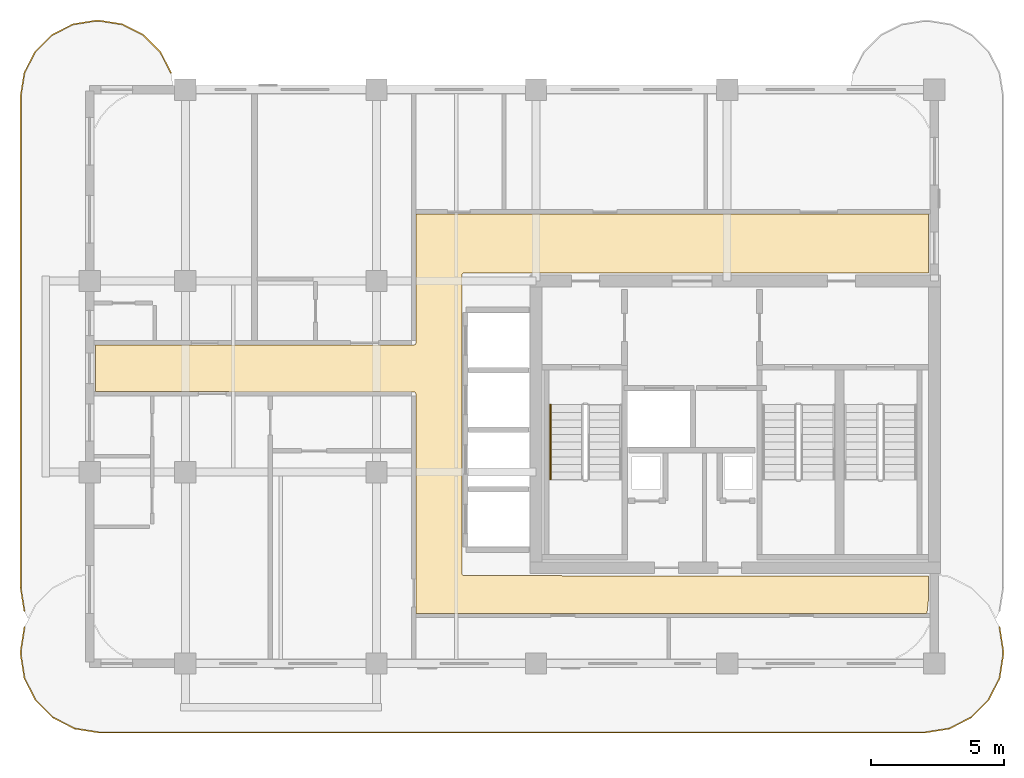
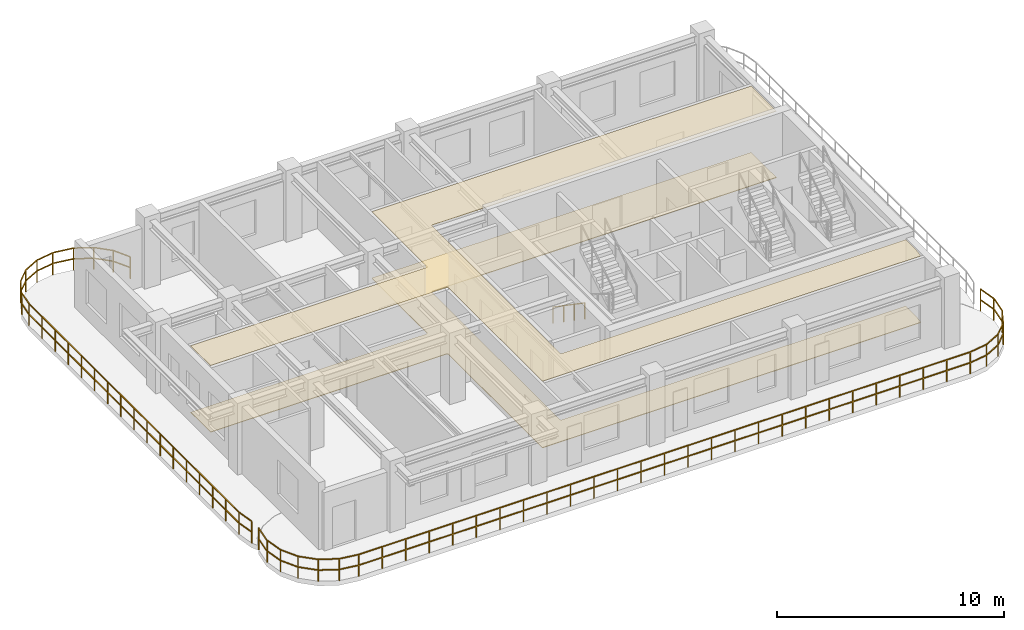
# One storey, part 6 of 7: 3 railings, 2 coverings.
"""IFC4 building model written with IfcOpenShell, lengths in metres."""

from ifc_helpers import new_model, si_unit, derived_unit, direction, frame, origin, origin_2d, place, context, subcontext, project, spatial, polyline, rectangle, outline, extrude, material, layer, layer_set, type_object, element, save


model = new_model("IFC4")

# Units and contexts
model_context = context("Model", 3, precision=1e-05, world=origin(), true_north=direction((0.0, 1.0)))
body_context = subcontext(model_context, "Body", "Model", "MODEL_VIEW")
ifc_project = project(units=[si_unit("LENGTHUNIT", "METRE"), si_unit("AREAUNIT", "SQUARE_METRE"), si_unit("VOLUMEUNIT", "CUBIC_METRE"), si_unit("PLANEANGLEUNIT", "RADIAN"), si_unit("MASSUNIT", "GRAM", prefix="KILO"), si_unit("THERMODYNAMICTEMPERATUREUNIT", "KELVIN"), si_unit("POWERUNIT", "WATT"), derived_unit("THERMALTRANSMITTANCEUNIT", [(si_unit("POWERUNIT", "WATT"), 1), (si_unit("AREAUNIT", "SQUARE_METRE"), -1), (si_unit("THERMODYNAMICTEMPERATUREUNIT", "KELVIN"), -1)])], contexts=[model_context])

# Site, building, storey
site_placement = place(None, origin())
site = spatial("IfcSite", under=ifc_project, at=site_placement, CompositionType="ELEMENT")
building_placement = place(site_placement, origin())
building = spatial("IfcBuilding", under=site, at=building_placement, Name="Zahravan Archway Hotel and Residences", CompositionType="ELEMENT")
storey_placement = place(building_placement, frame((0.0, 0.0, 255.800048828125)))
storey = spatial("IfcBuildingStorey", under=building, at=storey_placement, Name="L64", CompositionType="ELEMENT", Elevation=255.800048828125)

# Coverings
ifc_material_1 = material(Name="Perforated Acoustic Gypsum Ceiling")
ifc_layer_1 = layer(ifc_material_1, 0.02490234375, Name="Perforated Acoustic Gypsum Ceiling")
ifc_layer_set_1 = layer_set([ifc_layer_1], Name="Perforated Acoustic Gypsum Ceiling")
covering_type_1 = type_object("IfcCoveringType", Name="COV-CEIL-ACST", PredefinedType="CEILING", material=ifc_layer_set_1)
covering_1_placement = place(storey_placement, frame((0.0, 0.0, 3.574951171875)))
element("IfcCovering", 1, at=covering_1_placement, inside=storey, type_object=covering_type_1, Name="L64 Acoustic Corridor Ceiling", PredefinedType="CEILING", context=body_context, shape_type="SweptSolid", body=[
    extrude(outline(polyline([(30.215576171875, 11.991455078125), (30.256591796875, 12.013427734375), (30.278564453125, 12.054443359375), (30.280029296875, 16.919921875), (49.580078125, 16.919921875), (49.580078125, 14.705078125), (32.10009765625, 14.705078125), (32.0556640625, 14.69140625), (32.026123046875, 14.655517578125), (32.02001953125, 3.375), (32.033447265625, 3.33056640625), (32.0693359375, 3.301025390625), (49.580078125, 3.294921875), (49.580078125, 2.410888671875), (49.537109375, 1.974853515625), (49.50830078125, 1.8798828125), (30.280029296875, 1.8798828125), (30.280029296875, 10.14990234375), (30.2666015625, 10.1943359375), (30.230712890625, 10.223876953125), (18.219970703125, 10.22998046875), (18.219970703125, 11.989990234375), (30.199951171875, 11.989990234375), (30.215576171875, 11.991455078125)])), origin(), (0.0, 0.0, 1.0), 0.02490234375),
])
ifc_material_2 = material(Name="Honed Margalla Limestone & Mortar Bed", Category="masonry")
ifc_layer_2 = layer(ifc_material_2, 0.030029296875, Name="Honed Margalla Limestone & Mortar Bed", Category="masonry")
ifc_layer_set_2 = layer_set([ifc_layer_2], Name="Honed Margalla Limestone & Mortar Bed")
covering_type_2 = type_object("IfcCoveringType", Name="COV-FLR-STONE", PredefinedType="FLOORING", material=ifc_layer_set_2)
covering_2_placement = place(storey_placement, origin())
element("IfcCovering", 2, at=covering_2_placement, inside=storey, type_object=covering_type_2, Name="L64 Circulation Floor Finish", PredefinedType="FLOORING", context=body_context, shape_type="SweptSolid", body=[
    extrude(outline(polyline([(30.215576171875, 11.991455078125), (30.256591796875, 12.013427734375), (30.278564453125, 12.054443359375), (30.280029296875, 16.919921875), (49.580078125, 16.919921875), (49.580078125, 14.705078125), (32.10009765625, 14.705078125), (32.0556640625, 14.69140625), (32.026123046875, 14.655517578125), (32.02001953125, 3.375), (32.033447265625, 3.33056640625), (32.0693359375, 3.301025390625), (49.580078125, 3.294921875), (49.580078125, 2.410888671875), (49.537109375, 1.974853515625), (49.50830078125, 1.8798828125), (30.280029296875, 1.8798828125), (30.280029296875, 10.14990234375), (30.2666015625, 10.1943359375), (30.230712890625, 10.223876953125), (18.219970703125, 10.22998046875), (18.219970703125, 11.989990234375), (30.199951171875, 11.989990234375), (30.215576171875, 11.991455078125)])), origin(), (0.0, 0.0, 1.0), 0.030029296875),
])

# Railings
ifc_material_3 = material(Name="Bronze & Laminated Glass Balustrade", Category="glass")
railing_type_1 = type_object("IfcRailingType", Name="RL-BAL-1200", PredefinedType="BALUSTRADE", material=ifc_material_3)
railing_1_placement = place(storey_placement, frame((52.255615234375, 1.361572265625, 0.0)))
element("IfcRailing", 3, at=railing_1_placement, inside=storey, type_object=railing_type_1, Name="L64 Balustrade RL-SLB-BAL-L64-SA-1", PredefinedType="BALUSTRADE", context=body_context, shape_type="SweptSolid", body=[
    extrude(rectangle(XDim=0.048095703125, YDim=0.048095703125, at=origin_2d()), frame((0.0, 0.0, 1.17578125), z_axis=(0.156329311416, -0.987704989555, 0.0), x_axis=(0.987704989555, 0.156329311416, 0.0)), (0.0, 0.0, 1.0), 0.9228515625),
    extrude(rectangle(XDim=0.048095703125, YDim=0.048095703125, at=origin_2d()), frame((0.0, 0.0, 0.60009765625), z_axis=(0.156329311416, -0.987704989555, 0.0), x_axis=(0.987704989555, 0.156329311416, 0.0)), (0.0, 0.0, 1.0), 0.9228515625),
    extrude(rectangle(XDim=0.048095703125, YDim=0.048095703125, at=origin_2d()), frame((0.144287109375, -0.91162109375, 1.17578125), z_axis=(0.0, -1.0, 0.0), x_axis=(1.0, 0.0, 0.0)), (0.0, 0.0, 1.0), 0.099853515625),
    extrude(rectangle(XDim=0.048095703125, YDim=0.048095703125, at=origin_2d()), frame((0.144287109375, -0.91162109375, 0.60009765625), z_axis=(0.0, -1.0, 0.0), x_axis=(1.0, 0.0, 0.0)), (0.0, 0.0, 1.0), 0.099853515625),
    extrude(rectangle(XDim=0.048095703125, YDim=0.048095703125, at=origin_2d()), frame((0.144287109375, -1.011474609375, 1.17578125), z_axis=(-0.156329311416, -0.987704989555, 0.0), x_axis=(0.987704989555, -0.156329311416, 0.0)), (0.0, 0.0, 1.0), 0.9228515625),
    extrude(rectangle(XDim=0.048095703125, YDim=0.048095703125, at=origin_2d()), frame((0.144287109375, -1.011474609375, 0.60009765625), z_axis=(-0.156329311416, -0.987704989555, 0.0), x_axis=(0.987704989555, -0.156329311416, 0.0)), (0.0, 0.0, 1.0), 0.9228515625),
    extrude(rectangle(XDim=0.048095703125, YDim=0.048095703125, at=origin_2d()), frame((0.0, -1.923095703125, 1.17578125), z_axis=(-0.453866348456, -0.891069771532, 0.0), x_axis=(0.891069771532, -0.453866348456, 0.0)), (0.0, 0.0, 1.0), 0.923095703125),
    extrude(rectangle(XDim=0.048095703125, YDim=0.048095703125, at=origin_2d()), frame((0.0, -1.923095703125, 0.60009765625), z_axis=(-0.453866348456, -0.891069771532, 0.0), x_axis=(0.891069771532, -0.453866348456, 0.0)), (0.0, 0.0, 1.0), 0.923095703125),
    extrude(rectangle(XDim=0.048095703125, YDim=0.048095703125, at=origin_2d()), frame((-0.4189453125, -2.74560546875, 1.17578125), z_axis=(-0.707106781187, -0.707106781187, 0.0), x_axis=(0.707106781187, -0.707106781187, 0.0)), (0.0, 0.0, 1.0), 0.9228515625),
    extrude(rectangle(XDim=0.048095703125, YDim=0.048095703125, at=origin_2d()), frame((-0.4189453125, -2.74560546875, 0.60009765625), z_axis=(-0.707106781187, -0.707106781187, 0.0), x_axis=(0.707106781187, -0.707106781187, 0.0)), (0.0, 0.0, 1.0), 0.9228515625),
    extrude(rectangle(XDim=0.048095703125, YDim=0.048095703125, at=origin_2d()), frame((-1.071533203125, -3.398193359375, 1.17578125), z_axis=(-0.891069771532, -0.453866348456, 0.0), x_axis=(0.453866348456, -0.891069771532, 0.0)), (0.0, 0.0, 1.0), 0.923095703125),
    extrude(rectangle(XDim=0.048095703125, YDim=0.048095703125, at=origin_2d()), frame((-1.071533203125, -3.398193359375, 0.60009765625), z_axis=(-0.891069771532, -0.453866348456, 0.0), x_axis=(0.453866348456, -0.891069771532, 0.0)), (0.0, 0.0, 1.0), 0.923095703125),
    extrude(rectangle(XDim=0.048095703125, YDim=0.048095703125, at=origin_2d()), frame((-1.89404296875, -3.817138671875, 1.17578125), z_axis=(-0.98766411426, -0.156587347521, 0.0), x_axis=(0.156587347521, -0.98766411426, 0.0)), (0.0, 0.0, 1.0), 0.923095703125),
    extrude(rectangle(XDim=0.048095703125, YDim=0.048095703125, at=origin_2d()), frame((-1.89404296875, -3.817138671875, 0.60009765625), z_axis=(-0.98766411426, -0.156587347521, 0.0), x_axis=(0.156587347521, -0.98766411426, 0.0)), (0.0, 0.0, 1.0), 0.923095703125),
    extrude(rectangle(XDim=0.048095703125, YDim=0.048095703125, at=origin_2d()), frame((-2.8056640625, -3.961669921875, 1.17578125), z_axis=(-1.0, 0.0, 0.0), x_axis=(0.0, -1.0, 0.0)), (0.0, 0.0, 1.0), 31.099853515625),
    extrude(rectangle(XDim=0.048095703125, YDim=0.048095703125, at=origin_2d()), frame((-2.8056640625, -3.961669921875, 0.60009765625), z_axis=(-1.0, 0.0, 0.0), x_axis=(0.0, -1.0, 0.0)), (0.0, 0.0, 1.0), 31.099853515625),
    extrude(rectangle(XDim=0.048095703125, YDim=0.048095703125, at=origin_2d()), frame((-33.905517578125, -3.961669921875, 1.17578125), z_axis=(-0.98766411426, 0.156587347521, 0.0), x_axis=(-0.156587347521, -0.98766411426, 0.0)), (0.0, 0.0, 1.0), 0.923095703125),
    extrude(rectangle(XDim=0.048095703125, YDim=0.048095703125, at=origin_2d()), frame((-33.905517578125, -3.961669921875, 0.60009765625), z_axis=(-0.98766411426, 0.156587347521, 0.0), x_axis=(-0.156587347521, -0.98766411426, 0.0)), (0.0, 0.0, 1.0), 0.923095703125),
    extrude(rectangle(XDim=0.048095703125, YDim=0.048095703125, at=origin_2d()), frame((-34.817138671875, -3.817138671875, 1.17578125), z_axis=(-0.891069771532, 0.453866348456, 0.0), x_axis=(-0.453866348456, -0.891069771532, 0.0)), (0.0, 0.0, 1.0), 0.923095703125),
    extrude(rectangle(XDim=0.048095703125, YDim=0.048095703125, at=origin_2d()), frame((-34.817138671875, -3.817138671875, 0.60009765625), z_axis=(-0.891069771532, 0.453866348456, 0.0), x_axis=(-0.453866348456, -0.891069771532, 0.0)), (0.0, 0.0, 1.0), 0.923095703125),
    extrude(rectangle(XDim=0.048095703125, YDim=0.048095703125, at=origin_2d()), frame((-35.6396484375, -3.398193359375, 1.17578125), z_axis=(-0.707106781187, 0.707106781187, 0.0), x_axis=(-0.707106781187, -0.707106781187, 0.0)), (0.0, 0.0, 1.0), 0.9228515625),
    extrude(rectangle(XDim=0.048095703125, YDim=0.048095703125, at=origin_2d()), frame((-35.6396484375, -3.398193359375, 0.60009765625), z_axis=(-0.707106781187, 0.707106781187, 0.0), x_axis=(-0.707106781187, -0.707106781187, 0.0)), (0.0, 0.0, 1.0), 0.9228515625),
    extrude(rectangle(XDim=0.048095703125, YDim=0.048095703125, at=origin_2d()), frame((-36.292236328125, -2.74560546875, 1.17578125), z_axis=(-0.453866348456, 0.891069771532, 0.0), x_axis=(-0.891069771532, -0.453866348456, 0.0)), (0.0, 0.0, 1.0), 0.923095703125),
    extrude(rectangle(XDim=0.048095703125, YDim=0.048095703125, at=origin_2d()), frame((-36.292236328125, -2.74560546875, 0.60009765625), z_axis=(-0.453866348456, 0.891069771532, 0.0), x_axis=(-0.891069771532, -0.453866348456, 0.0)), (0.0, 0.0, 1.0), 0.923095703125),
    extrude(rectangle(XDim=0.048095703125, YDim=0.048095703125, at=origin_2d()), frame((-36.711181640625, -1.923095703125, 1.17578125), z_axis=(-0.156587347521, 0.98766411426, 0.0), x_axis=(-0.98766411426, -0.156587347521, 0.0)), (0.0, 0.0, 1.0), 0.923095703125),
    extrude(rectangle(XDim=0.048095703125, YDim=0.048095703125, at=origin_2d()), frame((-36.711181640625, -1.923095703125, 0.60009765625), z_axis=(-0.156587347521, 0.98766411426, 0.0), x_axis=(-0.98766411426, -0.156587347521, 0.0)), (0.0, 0.0, 1.0), 0.923095703125),
    extrude(rectangle(XDim=0.048095703125, YDim=0.048095703125, at=origin_2d()), frame((-36.855712890625, -1.011474609375, 1.17578125), z_axis=(0.0, 1.0, 0.0), x_axis=(-1.0, 0.0, 0.0)), (0.0, 0.0, 1.0), 0.099853515625),
    extrude(rectangle(XDim=0.048095703125, YDim=0.048095703125, at=origin_2d()), frame((-36.855712890625, -1.011474609375, 0.60009765625), z_axis=(0.0, 1.0, 0.0), x_axis=(-1.0, 0.0, 0.0)), (0.0, 0.0, 1.0), 0.099853515625),
    extrude(rectangle(XDim=0.048095703125, YDim=0.048095703125, at=origin_2d()), frame((-36.855712890625, -0.91162109375, 1.17578125), z_axis=(0.156587347521, 0.98766411426, 0.0), x_axis=(-0.98766411426, 0.156587347521, 0.0)), (0.0, 0.0, 1.0), 0.923095703125),
    extrude(rectangle(XDim=0.048095703125, YDim=0.048095703125, at=origin_2d()), frame((-36.855712890625, -0.91162109375, 0.60009765625), z_axis=(0.156587347521, 0.98766411426, 0.0), x_axis=(-0.98766411426, 0.156587347521, 0.0)), (0.0, 0.0, 1.0), 0.923095703125),
    extrude(rectangle(XDim=0.0419921875, YDim=0.0419921875, at=origin_2d()), origin(), (0.0, 0.0, 1.0), 1.15185546875),
    extrude(rectangle(XDim=0.0419921875, YDim=0.0419921875, at=origin_2d()), frame((0.144287109375, -0.91162109375, 0.0)), (0.0, 0.0, 1.0), 1.15185546875),
    extrude(rectangle(XDim=0.0419921875, YDim=0.0419921875, at=origin_2d()), frame((0.0, -1.923095703125, 0.0)), (0.0, 0.0, 1.0), 1.15185546875),
    extrude(rectangle(XDim=0.0419921875, YDim=0.0419921875, at=origin_2d()), frame((-0.4189453125, -2.74560546875, 0.0)), (0.0, 0.0, 1.0), 1.15185546875),
    extrude(rectangle(XDim=0.0419921875, YDim=0.0419921875, at=origin_2d()), frame((-1.071533203125, -3.398193359375, 0.0)), (0.0, 0.0, 1.0), 1.15185546875),
    extrude(rectangle(XDim=0.0419921875, YDim=0.0419921875, at=origin_2d()), frame((-1.89404296875, -3.817138671875, 0.0)), (0.0, 0.0, 1.0), 1.15185546875),
    extrude(rectangle(XDim=0.0419921875, YDim=0.0419921875, at=origin_2d()), frame((-2.8056640625, -3.961669921875, 0.0)), (0.0, 0.0, 1.0), 1.15185546875),
    extrude(rectangle(XDim=0.0419921875, YDim=0.0419921875, at=origin_2d()), frame((-4.001708984375, -3.961669921875, 0.0)), (0.0, 0.0, 1.0), 1.15185546875),
    extrude(rectangle(XDim=0.0419921875, YDim=0.0419921875, at=origin_2d()), frame((-5.197998046875, -3.961669921875, 0.0)), (0.0, 0.0, 1.0), 1.15185546875),
    extrude(rectangle(XDim=0.0419921875, YDim=0.0419921875, at=origin_2d()), frame((-6.39404296875, -3.961669921875, 0.0)), (0.0, 0.0, 1.0), 1.15185546875),
    extrude(rectangle(XDim=0.0419921875, YDim=0.0419921875, at=origin_2d()), frame((-7.59033203125, -3.961669921875, 0.0)), (0.0, 0.0, 1.0), 1.15185546875),
    extrude(rectangle(XDim=0.0419921875, YDim=0.0419921875, at=origin_2d()), frame((-8.786376953125, -3.961669921875, 0.0)), (0.0, 0.0, 1.0), 1.15185546875),
    extrude(rectangle(XDim=0.0419921875, YDim=0.0419921875, at=origin_2d()), frame((-9.982666015625, -3.961669921875, 0.0)), (0.0, 0.0, 1.0), 1.15185546875),
    extrude(rectangle(XDim=0.0419921875, YDim=0.0419921875, at=origin_2d()), frame((-11.1787109375, -3.961669921875, 0.0)), (0.0, 0.0, 1.0), 1.15185546875),
    extrude(rectangle(XDim=0.0419921875, YDim=0.0419921875, at=origin_2d()), frame((-12.374755859375, -3.961669921875, 0.0)), (0.0, 0.0, 1.0), 1.15185546875),
    extrude(rectangle(XDim=0.0419921875, YDim=0.0419921875, at=origin_2d()), frame((-13.571044921875, -3.961669921875, 0.0)), (0.0, 0.0, 1.0), 1.15185546875),
    extrude(rectangle(XDim=0.0419921875, YDim=0.0419921875, at=origin_2d()), frame((-14.76708984375, -3.961669921875, 0.0)), (0.0, 0.0, 1.0), 1.15185546875),
    extrude(rectangle(XDim=0.0419921875, YDim=0.0419921875, at=origin_2d()), frame((-15.96337890625, -3.961669921875, 0.0)), (0.0, 0.0, 1.0), 1.15185546875),
    extrude(rectangle(XDim=0.0419921875, YDim=0.0419921875, at=origin_2d()), frame((-17.159423828125, -3.961669921875, 0.0)), (0.0, 0.0, 1.0), 1.15185546875),
    extrude(rectangle(XDim=0.0419921875, YDim=0.0419921875, at=origin_2d()), frame((-18.35546875, -3.961669921875, 0.0)), (0.0, 0.0, 1.0), 1.15185546875),
    extrude(rectangle(XDim=0.0419921875, YDim=0.0419921875, at=origin_2d()), frame((-19.5517578125, -3.961669921875, 0.0)), (0.0, 0.0, 1.0), 1.15185546875),
    extrude(rectangle(XDim=0.0419921875, YDim=0.0419921875, at=origin_2d()), frame((-20.747802734375, -3.961669921875, 0.0)), (0.0, 0.0, 1.0), 1.15185546875),
    extrude(rectangle(XDim=0.0419921875, YDim=0.0419921875, at=origin_2d()), frame((-21.944091796875, -3.961669921875, 0.0)), (0.0, 0.0, 1.0), 1.15185546875),
    extrude(rectangle(XDim=0.0419921875, YDim=0.0419921875, at=origin_2d()), frame((-23.14013671875, -3.961669921875, 0.0)), (0.0, 0.0, 1.0), 1.15185546875),
    extrude(rectangle(XDim=0.0419921875, YDim=0.0419921875, at=origin_2d()), frame((-24.33642578125, -3.961669921875, 0.0)), (0.0, 0.0, 1.0), 1.15185546875),
    extrude(rectangle(XDim=0.0419921875, YDim=0.0419921875, at=origin_2d()), frame((-25.532470703125, -3.961669921875, 0.0)), (0.0, 0.0, 1.0), 1.15185546875),
    extrude(rectangle(XDim=0.0419921875, YDim=0.0419921875, at=origin_2d()), frame((-26.728515625, -3.961669921875, 0.0)), (0.0, 0.0, 1.0), 1.15185546875),
    extrude(rectangle(XDim=0.0419921875, YDim=0.0419921875, at=origin_2d()), frame((-27.9248046875, -3.961669921875, 0.0)), (0.0, 0.0, 1.0), 1.15185546875),
    extrude(rectangle(XDim=0.0419921875, YDim=0.0419921875, at=origin_2d()), frame((-29.120849609375, -3.961669921875, 0.0)), (0.0, 0.0, 1.0), 1.15185546875),
    extrude(rectangle(XDim=0.0419921875, YDim=0.0419921875, at=origin_2d()), frame((-30.317138671875, -3.961669921875, 0.0)), (0.0, 0.0, 1.0), 1.15185546875),
    extrude(rectangle(XDim=0.0419921875, YDim=0.0419921875, at=origin_2d()), frame((-31.51318359375, -3.961669921875, 0.0)), (0.0, 0.0, 1.0), 1.15185546875),
    extrude(rectangle(XDim=0.0419921875, YDim=0.0419921875, at=origin_2d()), frame((-32.70947265625, -3.961669921875, 0.0)), (0.0, 0.0, 1.0), 1.15185546875),
    extrude(rectangle(XDim=0.0419921875, YDim=0.0419921875, at=origin_2d()), frame((-33.905517578125, -3.961669921875, 0.0)), (0.0, 0.0, 1.0), 1.15185546875),
    extrude(rectangle(XDim=0.0419921875, YDim=0.0419921875, at=origin_2d()), frame((-34.817138671875, -3.817138671875, 0.0)), (0.0, 0.0, 1.0), 1.15185546875),
    extrude(rectangle(XDim=0.0419921875, YDim=0.0419921875, at=origin_2d()), frame((-35.6396484375, -3.398193359375, 0.0)), (0.0, 0.0, 1.0), 1.15185546875),
    extrude(rectangle(XDim=0.0419921875, YDim=0.0419921875, at=origin_2d()), frame((-36.292236328125, -2.74560546875, 0.0)), (0.0, 0.0, 1.0), 1.15185546875),
    extrude(rectangle(XDim=0.0419921875, YDim=0.0419921875, at=origin_2d()), frame((-36.711181640625, -1.923095703125, 0.0)), (0.0, 0.0, 1.0), 1.15185546875),
    extrude(rectangle(XDim=0.0419921875, YDim=0.0419921875, at=origin_2d()), frame((-36.855712890625, -1.011474609375, 0.0)), (0.0, 0.0, 1.0), 1.15185546875),
    extrude(rectangle(XDim=0.0419921875, YDim=0.0419921875, at=origin_2d()), frame((-36.711181640625, 0.0, 0.0)), (0.0, 0.0, 1.0), 1.15185546875),
])
railing_2_placement = place(storey_placement, frame((15.53955078125, 1.96923828125, 0.0)))
element("IfcRailing", 4, at=railing_2_placement, inside=storey, type_object=railing_type_1, Name="L64 Balustrade RL-SLB-BAL-L64-WA-1", PredefinedType="BALUSTRADE", context=body_context, shape_type="SweptSolid", body=[
    extrude(rectangle(XDim=0.048095703125, YDim=0.048095703125, at=origin_2d()), frame((0.0, 0.0, 1.17578125), z_axis=(-0.156581054338, 0.98766511198, 0.0), x_axis=(-0.98766511198, -0.156581054338, 0.0)), (0.0, 0.0, 1.0), 0.891845703125),
    extrude(rectangle(XDim=0.048095703125, YDim=0.048095703125, at=origin_2d()), frame((0.0, 0.0, 0.60009765625), z_axis=(-0.156581054338, 0.98766511198, 0.0), x_axis=(-0.98766511198, -0.156581054338, 0.0)), (0.0, 0.0, 1.0), 0.891845703125),
    extrude(rectangle(XDim=0.048095703125, YDim=0.048095703125, at=origin_2d()), frame((-0.1396484375, 0.880859375, 1.17578125), z_axis=(0.0, 1.0, 0.0), x_axis=(-1.0, 0.0, 0.0)), (0.0, 0.0, 1.0), 18.5),
    extrude(rectangle(XDim=0.048095703125, YDim=0.048095703125, at=origin_2d()), frame((-0.1396484375, 0.880859375, 0.60009765625), z_axis=(0.0, 1.0, 0.0), x_axis=(-1.0, 0.0, 0.0)), (0.0, 0.0, 1.0), 18.5),
    extrude(rectangle(XDim=0.048095703125, YDim=0.048095703125, at=origin_2d()), frame((-0.1396484375, 19.380859375, 1.17578125), z_axis=(0.156623399917, 0.987658397726, 0.0), x_axis=(-0.987658397726, 0.156623399917, 0.0)), (0.0, 0.0, 1.0), 0.8916015625),
    extrude(rectangle(XDim=0.048095703125, YDim=0.048095703125, at=origin_2d()), frame((-0.1396484375, 19.380859375, 0.60009765625), z_axis=(0.156623399917, 0.987658397726, 0.0), x_axis=(-0.987658397726, 0.156623399917, 0.0)), (0.0, 0.0, 1.0), 0.8916015625),
    extrude(rectangle(XDim=0.048095703125, YDim=0.048095703125, at=origin_2d()), frame((0.0, 20.261474609375, 1.17578125), z_axis=(0.453991409995, 0.891006060389, 0.0), x_axis=(-0.891006060389, 0.453991409995, 0.0)), (0.0, 0.0, 1.0), 0.8916015625),
    extrude(rectangle(XDim=0.048095703125, YDim=0.048095703125, at=origin_2d()), frame((0.0, 20.261474609375, 0.60009765625), z_axis=(0.453991409995, 0.891006060389, 0.0), x_axis=(-0.891006060389, 0.453991409995, 0.0)), (0.0, 0.0, 1.0), 0.8916015625),
    extrude(rectangle(XDim=0.048095703125, YDim=0.048095703125, at=origin_2d()), frame((0.40478515625, 21.055908203125, 1.17578125), z_axis=(0.706969864397, 0.70724367147, 0.0), x_axis=(-0.70724367147, 0.706969864397, 0.0)), (0.0, 0.0, 1.0), 0.8916015625),
    extrude(rectangle(XDim=0.048095703125, YDim=0.048095703125, at=origin_2d()), frame((0.40478515625, 21.055908203125, 0.60009765625), z_axis=(0.706969864397, 0.70724367147, 0.0), x_axis=(-0.70724367147, 0.706969864397, 0.0)), (0.0, 0.0, 1.0), 0.8916015625),
    extrude(rectangle(XDim=0.048095703125, YDim=0.048095703125, at=origin_2d()), frame((1.03515625, 21.6865234375, 1.17578125), z_axis=(0.891062476022, 0.45388067135, 0.0), x_axis=(-0.45388067135, 0.891062476022, 0.0)), (0.0, 0.0, 1.0), 0.891845703125),
    extrude(rectangle(XDim=0.048095703125, YDim=0.048095703125, at=origin_2d()), frame((1.03515625, 21.6865234375, 0.60009765625), z_axis=(0.891062476022, 0.45388067135, 0.0), x_axis=(-0.45388067135, 0.891062476022, 0.0)), (0.0, 0.0, 1.0), 0.891845703125),
    extrude(rectangle(XDim=0.048095703125, YDim=0.048095703125, at=origin_2d()), frame((1.829833984375, 22.09130859375, 1.17578125), z_axis=(0.987700720307, 0.156356282588, 0.0), x_axis=(-0.156356282588, 0.987700720307, 0.0)), (0.0, 0.0, 1.0), 0.8916015625),
    extrude(rectangle(XDim=0.048095703125, YDim=0.048095703125, at=origin_2d()), frame((1.829833984375, 22.09130859375, 0.60009765625), z_axis=(0.987700720307, 0.156356282588, 0.0), x_axis=(-0.156356282588, 0.987700720307, 0.0)), (0.0, 0.0, 1.0), 0.8916015625),
    extrude(rectangle(XDim=0.048095703125, YDim=0.048095703125, at=origin_2d()), frame((2.71044921875, 22.230712890625, 1.17578125), z_axis=(1.0, 0.0, 0.0), x_axis=(0.0, 1.0, 0.0)), (0.0, 0.0, 1.0), 0.10009765625),
    extrude(rectangle(XDim=0.048095703125, YDim=0.048095703125, at=origin_2d()), frame((2.71044921875, 22.230712890625, 0.60009765625), z_axis=(1.0, 0.0, 0.0), x_axis=(0.0, 1.0, 0.0)), (0.0, 0.0, 1.0), 0.10009765625),
    extrude(rectangle(XDim=0.048095703125, YDim=0.048095703125, at=origin_2d()), frame((2.810546875, 22.230712890625, 1.17578125), z_axis=(0.987700720307, -0.156356282588, 0.0), x_axis=(0.156356282588, 0.987700720307, 0.0)), (0.0, 0.0, 1.0), 0.8916015625),
    extrude(rectangle(XDim=0.048095703125, YDim=0.048095703125, at=origin_2d()), frame((2.810546875, 22.230712890625, 0.60009765625), z_axis=(0.987700720307, -0.156356282588, 0.0), x_axis=(0.156356282588, 0.987700720307, 0.0)), (0.0, 0.0, 1.0), 0.8916015625),
    extrude(rectangle(XDim=0.048095703125, YDim=0.048095703125, at=origin_2d()), frame((3.691162109375, 22.09130859375, 1.17578125), z_axis=(0.891006060389, -0.453991409995, 0.0), x_axis=(0.453991409995, 0.891006060389, 0.0)), (0.0, 0.0, 1.0), 0.8916015625),
    extrude(rectangle(XDim=0.048095703125, YDim=0.048095703125, at=origin_2d()), frame((3.691162109375, 22.09130859375, 0.60009765625), z_axis=(0.891006060389, -0.453991409995, 0.0), x_axis=(0.453991409995, 0.891006060389, 0.0)), (0.0, 0.0, 1.0), 0.8916015625),
    extrude(rectangle(XDim=0.048095703125, YDim=0.048095703125, at=origin_2d()), frame((4.485595703125, 21.6865234375, 1.17578125), z_axis=(0.707106781187, -0.707106781187, 0.0), x_axis=(0.707106781187, 0.707106781187, 0.0)), (0.0, 0.0, 1.0), 0.891845703125),
    extrude(rectangle(XDim=0.048095703125, YDim=0.048095703125, at=origin_2d()), frame((4.485595703125, 21.6865234375, 0.60009765625), z_axis=(0.707106781187, -0.707106781187, 0.0), x_axis=(0.707106781187, 0.707106781187, 0.0)), (0.0, 0.0, 1.0), 0.891845703125),
    extrude(rectangle(XDim=0.048095703125, YDim=0.048095703125, at=origin_2d()), frame((5.1162109375, 21.055908203125, 1.17578125), z_axis=(0.453991409995, -0.891006060389, 0.0), x_axis=(0.891006060389, 0.453991409995, 0.0)), (0.0, 0.0, 1.0), 0.8916015625),
    extrude(rectangle(XDim=0.048095703125, YDim=0.048095703125, at=origin_2d()), frame((5.1162109375, 21.055908203125, 0.60009765625), z_axis=(0.453991409995, -0.891006060389, 0.0), x_axis=(0.891006060389, 0.453991409995, 0.0)), (0.0, 0.0, 1.0), 0.8916015625),
    extrude(rectangle(XDim=0.0419921875, YDim=0.0419921875, at=origin_2d()), origin(), (0.0, 0.0, 1.0), 1.15185546875),
    extrude(rectangle(XDim=0.0419921875, YDim=0.0419921875, at=origin_2d()), frame((-0.1396484375, 0.880859375, 0.0)), (0.0, 0.0, 1.0), 1.15185546875),
    extrude(rectangle(XDim=0.0419921875, YDim=0.0419921875, at=origin_2d()), frame((-0.1396484375, 2.037109375, 0.0)), (0.0, 0.0, 1.0), 1.15185546875),
    extrude(rectangle(XDim=0.0419921875, YDim=0.0419921875, at=origin_2d()), frame((-0.1396484375, 3.193359375, 0.0)), (0.0, 0.0, 1.0), 1.15185546875),
    extrude(rectangle(XDim=0.0419921875, YDim=0.0419921875, at=origin_2d()), frame((-0.1396484375, 4.349609375, 0.0)), (0.0, 0.0, 1.0), 1.15185546875),
    extrude(rectangle(XDim=0.0419921875, YDim=0.0419921875, at=origin_2d()), frame((-0.1396484375, 5.505859375, 0.0)), (0.0, 0.0, 1.0), 1.15185546875),
    extrude(rectangle(XDim=0.0419921875, YDim=0.0419921875, at=origin_2d()), frame((-0.1396484375, 6.662109375, 0.0)), (0.0, 0.0, 1.0), 1.15185546875),
    extrude(rectangle(XDim=0.0419921875, YDim=0.0419921875, at=origin_2d()), frame((-0.1396484375, 7.818359375, 0.0)), (0.0, 0.0, 1.0), 1.15185546875),
    extrude(rectangle(XDim=0.0419921875, YDim=0.0419921875, at=origin_2d()), frame((-0.1396484375, 8.974609375, 0.0)), (0.0, 0.0, 1.0), 1.15185546875),
    extrude(rectangle(XDim=0.0419921875, YDim=0.0419921875, at=origin_2d()), frame((-0.1396484375, 10.130859375, 0.0)), (0.0, 0.0, 1.0), 1.15185546875),
    extrude(rectangle(XDim=0.0419921875, YDim=0.0419921875, at=origin_2d()), frame((-0.1396484375, 11.287109375, 0.0)), (0.0, 0.0, 1.0), 1.15185546875),
    extrude(rectangle(XDim=0.0419921875, YDim=0.0419921875, at=origin_2d()), frame((-0.1396484375, 12.443359375, 0.0)), (0.0, 0.0, 1.0), 1.15185546875),
    extrude(rectangle(XDim=0.0419921875, YDim=0.0419921875, at=origin_2d()), frame((-0.1396484375, 13.599609375, 0.0)), (0.0, 0.0, 1.0), 1.15185546875),
    extrude(rectangle(XDim=0.0419921875, YDim=0.0419921875, at=origin_2d()), frame((-0.1396484375, 14.755859375, 0.0)), (0.0, 0.0, 1.0), 1.15185546875),
    extrude(rectangle(XDim=0.0419921875, YDim=0.0419921875, at=origin_2d()), frame((-0.1396484375, 15.912109375, 0.0)), (0.0, 0.0, 1.0), 1.15185546875),
    extrude(rectangle(XDim=0.0419921875, YDim=0.0419921875, at=origin_2d()), frame((-0.1396484375, 17.068359375, 0.0)), (0.0, 0.0, 1.0), 1.15185546875),
    extrude(rectangle(XDim=0.0419921875, YDim=0.0419921875, at=origin_2d()), frame((-0.1396484375, 18.224609375, 0.0)), (0.0, 0.0, 1.0), 1.15185546875),
    extrude(rectangle(XDim=0.0419921875, YDim=0.0419921875, at=origin_2d()), frame((-0.1396484375, 19.380859375, 0.0)), (0.0, 0.0, 1.0), 1.15185546875),
    extrude(rectangle(XDim=0.0419921875, YDim=0.0419921875, at=origin_2d()), frame((0.0, 20.261474609375, 0.0)), (0.0, 0.0, 1.0), 1.15185546875),
    extrude(rectangle(XDim=0.0419921875, YDim=0.0419921875, at=origin_2d()), frame((0.40478515625, 21.055908203125, 0.0)), (0.0, 0.0, 1.0), 1.15185546875),
    extrude(rectangle(XDim=0.0419921875, YDim=0.0419921875, at=origin_2d()), frame((1.03515625, 21.6865234375, 0.0)), (0.0, 0.0, 1.0), 1.15185546875),
    extrude(rectangle(XDim=0.0419921875, YDim=0.0419921875, at=origin_2d()), frame((1.829833984375, 22.09130859375, 0.0)), (0.0, 0.0, 1.0), 1.15185546875),
    extrude(rectangle(XDim=0.0419921875, YDim=0.0419921875, at=origin_2d()), frame((2.71044921875, 22.230712890625, 0.0)), (0.0, 0.0, 1.0), 1.15185546875),
    extrude(rectangle(XDim=0.0419921875, YDim=0.0419921875, at=origin_2d()), frame((3.691162109375, 22.09130859375, 0.0)), (0.0, 0.0, 1.0), 1.15185546875),
    extrude(rectangle(XDim=0.0419921875, YDim=0.0419921875, at=origin_2d()), frame((4.485595703125, 21.6865234375, 0.0)), (0.0, 0.0, 1.0), 1.15185546875),
    extrude(rectangle(XDim=0.0419921875, YDim=0.0419921875, at=origin_2d()), frame((5.1162109375, 21.055908203125, 0.0)), (0.0, 0.0, 1.0), 1.15185546875),
    extrude(rectangle(XDim=0.0419921875, YDim=0.0419921875, at=origin_2d()), frame((5.52099609375, 20.261474609375, 0.0)), (0.0, 0.0, 1.0), 1.15185546875),
])
ifc_material_4 = material(Name="Brushed Stainless Steel", Category="steel")
railing_type_2 = type_object("IfcRailingType", Name="RL-STH-900", PredefinedType="HANDRAIL", material=ifc_material_4)
railing_3_placement = place(storey_placement, frame((35.35009765625, 9.72998046875, 0.175048828125)))
element("IfcRailing", 5, at=railing_3_placement, inside=storey, type_object=railing_type_2, Name="L64 ST-A1 stair handrail 1", PredefinedType="HANDRAIL", context=body_context, shape_type="SweptSolid", body=[
    extrude(rectangle(XDim=0.048095703125, YDim=0.048095703125, at=origin_2d()), frame((0.0, 0.0, 0.8759765625), z_axis=(0.0, -0.824073370198, 0.566483080534), x_axis=(1.0, 0.0, 0.0)), (0.0, 0.0, 1.0), 3.397705078125),
    extrude(rectangle(XDim=0.0419921875, YDim=0.0419921875, at=origin_2d()), origin(), (0.0, 0.0, 1.0), 0.851806640625),
    extrude(rectangle(XDim=0.0419921875, YDim=0.0419921875, at=origin_2d()), frame((0.0, -0.933349609375, 0.6416015625)), (0.0, 0.0, 1.0), 0.851806640625),
    extrude(rectangle(XDim=0.0419921875, YDim=0.0419921875, at=origin_2d()), frame((0.0, -1.86669921875, 1.283203125)), (0.0, 0.0, 1.0), 0.851806640625),
    extrude(rectangle(XDim=0.0419921875, YDim=0.0419921875, at=origin_2d()), frame((0.0, -2.800048828125, 1.9248046875)), (0.0, 0.0, 1.0), 0.851806640625),
])

save(model, "model.ifc")
